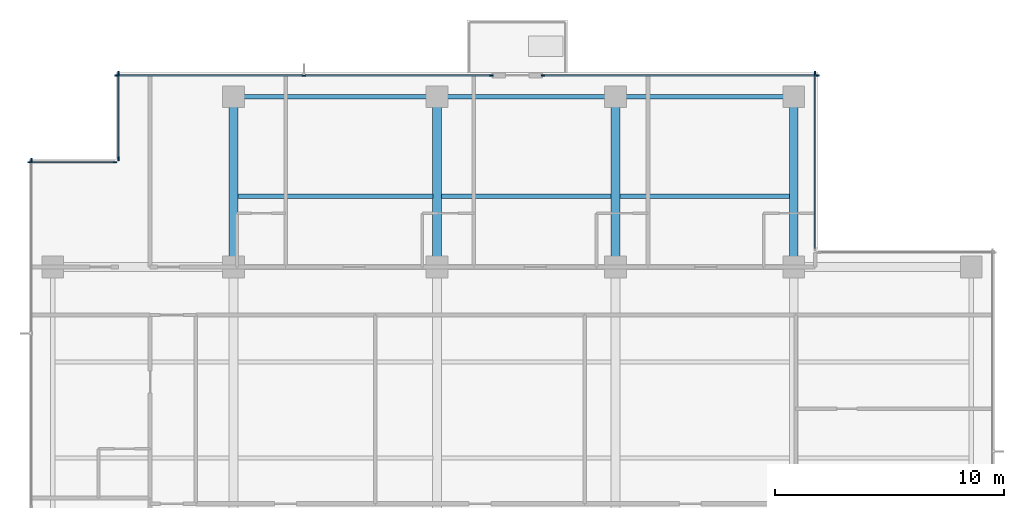
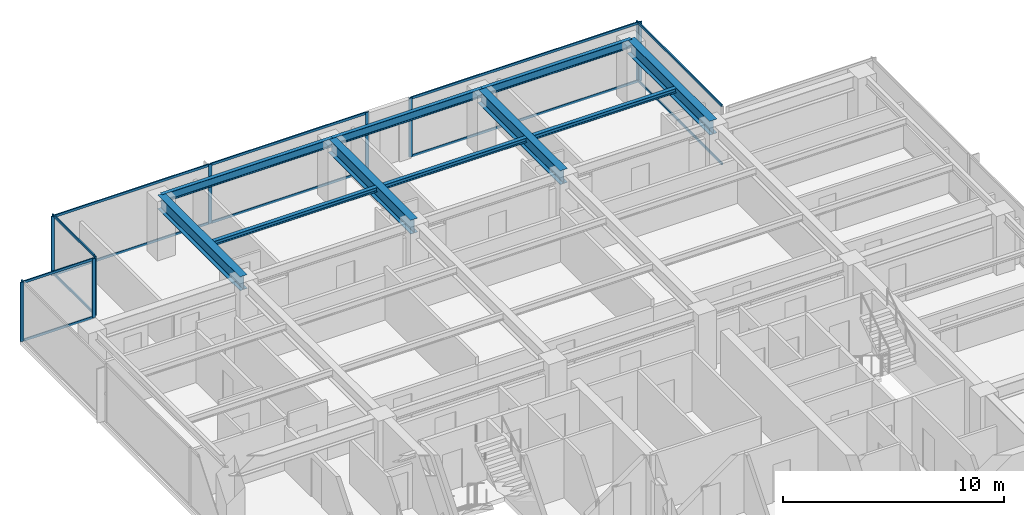
# One storey, part 5 of 15: 23 members, 10 beams, 6 elements without a shape of their own.
"""IFC4 building model written with IfcOpenShell, lengths in metres."""

from ifc_helpers import new_model, si_unit, direction, frame, origin, origin_2d, place, context, subcontext, project, spatial, rectangle, i_section, extrude, material, layer, layer_set, material_profile, profile_set, type_object, element, aggregate, save


model = new_model("IFC4")

# Units and contexts
model_context = context("Model", 3, precision=1e-05, world=origin(), true_north=direction((0.0, 1.0)))
body_context = subcontext(model_context, "Body", "Model", "MODEL_VIEW")
ifc_project = project(units=[si_unit("LENGTHUNIT", "METRE"), si_unit("AREAUNIT", "SQUARE_METRE"), si_unit("VOLUMEUNIT", "CUBIC_METRE"), si_unit("PLANEANGLEUNIT", "RADIAN"), si_unit("MASSUNIT", "GRAM", prefix="KILO")], contexts=[model_context])

# Site, building, storey
site_placement = place(None, origin())
site = spatial("IfcSite", under=ifc_project, at=site_placement, CompositionType="ELEMENT")
building_placement = place(site_placement, origin())
building = spatial("IfcBuilding", under=site, at=building_placement, Name="Qalmaran Belvedere Hotel", CompositionType="ELEMENT")
storey_placement = place(building_placement, frame((0.0, 0.0, 214.39990234375)))
storey = spatial("IfcBuildingStorey", under=building, at=storey_placement, Name="L54", CompositionType="ELEMENT", Elevation=214.39990234375)

# Beams
ifc_material_1 = material(Name="Steel S355JR", Category="steel")
ifc_material_profile_1 = material_profile(ifc_material_1, i_section(OverallWidth=0.201904296875, OverallDepth=0.2470703125, WebThickness=0.00732421875, FlangeThickness=0.010986328125, FilletRadius=0.011962890625, at=origin_2d()), Name="W250X49")
ifc_profile_set_1 = profile_set([ifc_material_profile_1], Name="Steel S355JR")
beam_type_1 = type_object("IfcBeamType", Name="BM-JST-W250X49", PredefinedType="JOIST", material=ifc_profile_set_1)
beam_1_placement = place(storey_placement, frame((20.488525390625, 36.10009765625, 3.13671875), z_axis=(1.0, 0.0, 0.0), x_axis=(0.0, 1.0, 0.0)))
element("IfcBeam", 1, at=beam_1_placement, inside=storey, type_object=beam_type_1, Name="L54 North Floor Joist 042", PredefinedType="JOIST", context=body_context, shape_type="SweptSolid", body=[
    extrude(i_section(OverallWidth=0.201904296875, OverallDepth=0.2470703125, WebThickness=0.00732421875, FlangeThickness=0.010986328125, FilletRadius=0.011962890625, at=origin_2d()), origin(), (0.0, 0.0, 1.0), 8.52294921875),
])
for number, where, z_axis, x_axis, name in (
    (2, (29.388427734375, 36.10009765625, 3.13671875), (1.0, 0.0, 0.0), (0.0, 1.0, 0.0), "L54 North Floor Joist 043"),
    (3, (37.1884765625, 36.10009765625, 3.13671875), (1.0, 0.0, 0.0), (0.0, 1.0, 0.0), "L54 North Floor Joist 044"),
):
    element("IfcBeam", number, at=place(storey_placement, frame(where, z_axis=z_axis, x_axis=x_axis)), inside=storey, type_object=beam_type_1, Name=name, PredefinedType="JOIST", context=body_context, shape_type="SweptSolid", body=[
        extrude(i_section(OverallWidth=0.201904296875, OverallDepth=0.2470703125, WebThickness=0.00732421875, FlangeThickness=0.010986328125, FilletRadius=0.011962890625, at=origin_2d()), origin(), (0.0, 0.0, 1.0), 7.423095703125),
    ])
ifc_material_profile_2 = material_profile(ifc_material_1, i_section(OverallWidth=0.381103515625, OverallDepth=0.77294921875, WebThickness=0.0166015625, FlangeThickness=0.027099609375, FilletRadius=0.02197265625, at=origin_2d()), Name="W760X257")
ifc_profile_set_2 = profile_set([ifc_material_profile_2], Name="Steel S355JR")
beam_type_2 = type_object("IfcBeamType", Name="BM-PG4-W760X257", PredefinedType="USERDEFINED", material=ifc_profile_set_2)
for number, where, z_axis, x_axis, name in (
    (4, (20.300048828125, 33.0, 2.87353515625), (0.0, 1.0, 0.0), (-1.0, 0.0, 0.0), "L54 North Bay Girder 15"),
    (5, (29.199951171875, 33.0, 2.87353515625), (0.0, 1.0, 0.0), (-1.0, 0.0, 0.0), "L54 North Bay Girder 17"),
    (6, (37.0, 33.0, 2.87353515625), (0.0, 1.0, 0.0), (-1.0, 0.0, 0.0), "L54 North Bay Girder 19"),
    (7, (44.800048828125, 33.0, 2.87353515625), (0.0, 1.0, 0.0), (-1.0, 0.0, 0.0), "L54 North Bay Girder 21"),
):
    element("IfcBeam", number, at=place(storey_placement, frame(where, z_axis=z_axis, x_axis=x_axis)), inside=storey, type_object=beam_type_2, Name=name, ObjectType="GIRDER", PredefinedType="USERDEFINED", context=body_context, shape_type="SweptSolid", body=[
        extrude(i_section(OverallWidth=0.381103515625, OverallDepth=0.77294921875, WebThickness=0.0166015625, FlangeThickness=0.027099609375, FilletRadius=0.02197265625, at=origin_2d()), origin(), (0.0, 0.0, 1.0), 7.449951171875),
    ])
ifc_material_profile_3 = material_profile(ifc_material_1, i_section(OverallWidth=0.19189453125, OverallDepth=0.462890625, WebThickness=0.010498046875, FlangeThickness=0.017578125, FilletRadius=0.01611328125, at=origin_2d()), Name="W460X89")
ifc_profile_set_3 = profile_set([ifc_material_profile_3], Name="Steel S355JR")
beam_type_3 = type_object("IfcBeamType", Name="BM-SP2-W460X89", PredefinedType="SPANDREL", material=ifc_profile_set_3)
beam_2_placement = place(storey_placement, frame((20.300048828125, 40.449951171875, 3.028564453125), z_axis=(1.0, 0.0, 0.0), x_axis=(0.0, 1.0, 0.0)))
element("IfcBeam", 8, at=beam_2_placement, inside=storey, type_object=beam_type_3, Name="L54 Perimeter Spandrel 05", PredefinedType="SPANDREL", context=body_context, shape_type="SweptSolid", body=[
    extrude(i_section(OverallWidth=0.19189453125, OverallDepth=0.462890625, WebThickness=0.010498046875, FlangeThickness=0.017578125, FilletRadius=0.01611328125, at=origin_2d()), origin(), (0.0, 0.0, 1.0), 8.89990234375),
])
for number, where, z_axis, x_axis, name in (
    (9, (29.199951171875, 40.449951171875, 3.028564453125), (1.0, 0.0, 0.0), (0.0, 1.0, 0.0), "L54 Perimeter Spandrel 06"),
    (10, (37.0, 40.449951171875, 3.028564453125), (1.0, 0.0, 0.0), (0.0, 1.0, 0.0), "L54 Perimeter Spandrel 07"),
):
    element("IfcBeam", number, at=place(storey_placement, frame(where, z_axis=z_axis, x_axis=x_axis)), inside=storey, type_object=beam_type_3, Name=name, PredefinedType="SPANDREL", context=body_context, shape_type="SweptSolid", body=[
        extrude(i_section(OverallWidth=0.19189453125, OverallDepth=0.462890625, WebThickness=0.010498046875, FlangeThickness=0.017578125, FilletRadius=0.01611328125, at=origin_2d()), origin(), (0.0, 0.0, 1.0), 7.800048828125),
    ])

# Curtain wall, member
ifc_material_2 = material(Name="Anodised Bronze Aluminium", Category="aluminium")
ifc_layer = layer(ifc_material_2, 0.18994140625, Name="Anodised Bronze Aluminium")
ifc_layer_set = layer_set([ifc_layer], Name="Anodised Bronze Aluminium")
curtain_wall_type = type_object("IfcCurtainWallType", Name="CW5-TOWER-UPPER", PredefinedType="NOTDEFINED", material=ifc_layer_set)
curtain_wall_1_placement = place(storey_placement, origin())
curtain_wall_1 = element("IfcCurtainWall", 11, at=curtain_wall_1_placement, inside=storey, type_object=curtain_wall_type, Name="L54 Curtain Wall CW5", PredefinedType="NOTDEFINED")
ifc_material_profile_4 = material_profile(ifc_material_2, rectangle(XDim=0.06494140625, YDim=0.1650390625, at=origin_2d()), Name="CWM65X165")
ifc_profile_set_4 = profile_set([ifc_material_profile_4], Name="Anodised Bronze Aluminium")
member_type_1 = type_object("IfcMemberType", Name="CWM-65X165", PredefinedType="MULLION", material=ifc_profile_set_4)
member_1_placement = place(storey_placement, frame((45.72998046875, 41.467529296875, 0.0), z_axis=(0.0, 0.0, 1.0), x_axis=(-1.0, 0.0, 0.0)))
member_1 = element("IfcMember", 12, at=member_1_placement, type_object=member_type_1, Name="CW5 mullion 2", PredefinedType="MULLION", context=body_context, shape_type="SweptSolid", body=[
    extrude(rectangle(XDim=0.06494140625, YDim=0.1650390625, at=origin_2d()), origin(), (0.0, 0.0, 1.0), 3.260009765625),
])

# Curtain wall, members
curtain_wall_2_placement = place(storey_placement, origin())
curtain_wall_2 = element("IfcCurtainWall", 13, at=curtain_wall_2_placement, inside=storey, type_object=curtain_wall_type, Name="L54 Curtain Wall CW5", PredefinedType="NOTDEFINED")
member_2_placement = place(storey_placement, frame((31.5673828125, 41.3798828125, 0.0), z_axis=(0.0, 0.0, 1.0), x_axis=(0.0, -1.0, 0.0)))
member_2 = element("IfcMember", 14, at=member_2_placement, type_object=member_type_1, Name="CW5 mullion 1", PredefinedType="MULLION", context=body_context, shape_type="SweptSolid", body=[
    extrude(rectangle(XDim=0.06494140625, YDim=0.1650390625, at=origin_2d()), origin(), (0.0, 0.0, 1.0), 3.260009765625),
])
member_3_placement = place(storey_placement, frame((23.375, 41.3798828125, 0.0), z_axis=(0.0, 0.0, 1.0), x_axis=(0.0, -1.0, 0.0)))
member_3 = element("IfcMember", 15, at=member_3_placement, type_object=member_type_1, Name="CW5 mullion 2", PredefinedType="MULLION", context=body_context, shape_type="SweptSolid", body=[
    extrude(rectangle(XDim=0.06494140625, YDim=0.1650390625, at=origin_2d()), origin(), (0.0, 0.0, 1.0), 3.260009765625),
])
member_4_placement = place(storey_placement, frame((15.1826171875, 41.3798828125, 0.0), z_axis=(0.0, 0.0, 1.0), x_axis=(0.0, -1.0, 0.0)))
member_4 = element("IfcMember", 16, at=member_4_placement, type_object=member_type_1, Name="CW5 mullion 3", PredefinedType="MULLION", context=body_context, shape_type="SweptSolid", body=[
    extrude(rectangle(XDim=0.06494140625, YDim=0.1650390625, at=origin_2d()), origin(), (0.0, 0.0, 1.0), 3.260009765625),
])

curtain_wall_3_placement = place(storey_placement, origin())
curtain_wall_3 = element("IfcCurtainWall", 17, at=curtain_wall_3_placement, inside=storey, type_object=curtain_wall_type, Name="L54 Curtain Wall CW5", PredefinedType="NOTDEFINED")
member_5_placement = place(storey_placement, frame((45.8173828125, 41.3798828125, 0.0), z_axis=(0.0, 0.0, 1.0), x_axis=(0.0, -1.0, 0.0)))
member_5 = element("IfcMember", 18, at=member_5_placement, type_object=member_type_1, Name="CW5 mullion 1", PredefinedType="MULLION", context=body_context, shape_type="SweptSolid", body=[
    extrude(rectangle(XDim=0.06494140625, YDim=0.1650390625, at=origin_2d()), origin(), (0.0, 0.0, 1.0), 3.260009765625),
])
member_6_placement = place(storey_placement, frame((33.83251953125, 41.3798828125, 0.0), z_axis=(0.0, 0.0, 1.0), x_axis=(0.0, -1.0, 0.0)))
member_6 = element("IfcMember", 19, at=member_6_placement, type_object=member_type_1, Name="CW5 mullion 2", PredefinedType="MULLION", context=body_context, shape_type="SweptSolid", body=[
    extrude(rectangle(XDim=0.06494140625, YDim=0.1650390625, at=origin_2d()), origin(), (0.0, 0.0, 1.0), 3.260009765625),
])

curtain_wall_4_placement = place(storey_placement, origin())
curtain_wall_4 = element("IfcCurtainWall", 20, at=curtain_wall_4_placement, inside=storey, type_object=curtain_wall_type, Name="L54 Curtain Wall CW5", PredefinedType="NOTDEFINED")
member_7_placement = place(storey_placement, frame((15.27001953125, 41.467529296875, 0.0), z_axis=(0.0, 0.0, 1.0), x_axis=(1.0, 0.0, 0.0)))
member_7 = element("IfcMember", 21, at=member_7_placement, type_object=member_type_1, Name="CW5 mullion 1", PredefinedType="MULLION", context=body_context, shape_type="SweptSolid", body=[
    extrude(rectangle(XDim=0.06494140625, YDim=0.1650390625, at=origin_2d()), origin(), (0.0, 0.0, 1.0), 3.260009765625),
])
member_8_placement = place(storey_placement, frame((15.27001953125, 37.732421875, 0.0), z_axis=(0.0, 0.0, 1.0), x_axis=(1.0, 0.0, 0.0)))
member_8 = element("IfcMember", 22, at=member_8_placement, type_object=member_type_1, Name="CW5 mullion 2", PredefinedType="MULLION", context=body_context, shape_type="SweptSolid", body=[
    extrude(rectangle(XDim=0.06494140625, YDim=0.1650390625, at=origin_2d()), origin(), (0.0, 0.0, 1.0), 3.260009765625),
])

curtain_wall_5_placement = place(storey_placement, origin())
curtain_wall_5 = element("IfcCurtainWall", 23, at=curtain_wall_5_placement, inside=storey, type_object=curtain_wall_type, Name="L54 Curtain Wall CW5", PredefinedType="NOTDEFINED")
member_9_placement = place(storey_placement, frame((15.117431640625, 37.580078125, 0.0), z_axis=(0.0, 0.0, 1.0), x_axis=(0.0, -1.0, 0.0)))
member_9 = element("IfcMember", 24, at=member_9_placement, type_object=member_type_1, Name="CW5 mullion 1", PredefinedType="MULLION", context=body_context, shape_type="SweptSolid", body=[
    extrude(rectangle(XDim=0.06494140625, YDim=0.1650390625, at=origin_2d()), origin(), (0.0, 0.0, 1.0), 3.260009765625),
])
member_10_placement = place(storey_placement, frame((11.382568359375, 37.580078125, 0.0), z_axis=(0.0, 0.0, 1.0), x_axis=(0.0, -1.0, 0.0)))
member_10 = element("IfcMember", 25, at=member_10_placement, type_object=member_type_1, Name="CW5 mullion 2", PredefinedType="MULLION", context=body_context, shape_type="SweptSolid", body=[
    extrude(rectangle(XDim=0.06494140625, YDim=0.1650390625, at=origin_2d()), origin(), (0.0, 0.0, 1.0), 3.260009765625),
])

# Curtain wall, member
curtain_wall_6_placement = place(storey_placement, origin())
curtain_wall_6 = element("IfcCurtainWall", 26, at=curtain_wall_6_placement, inside=storey, type_object=curtain_wall_type, Name="L54 Curtain Wall CW5", PredefinedType="NOTDEFINED")
member_11_placement = place(storey_placement, frame((11.469970703125, 37.66748046875, 0.0), z_axis=(0.0, 0.0, 1.0), x_axis=(1.0, 0.0, 0.0)))
member_11 = element("IfcMember", 27, at=member_11_placement, type_object=member_type_1, Name="CW5 mullion 1", PredefinedType="MULLION", context=body_context, shape_type="SweptSolid", body=[
    extrude(rectangle(XDim=0.06494140625, YDim=0.1650390625, at=origin_2d()), origin(), (0.0, 0.0, 1.0), 3.260009765625),
])
aggregate(curtain_wall_6, [member_11])

# Member
ifc_material_profile_5 = material_profile(ifc_material_2, rectangle(XDim=0.06494140625, YDim=0.1298828125, at=origin_2d()), Name="CWT65X130")
ifc_profile_set_5 = profile_set([ifc_material_profile_5], Name="Anodised Bronze Aluminium")
member_type_2 = type_object("IfcMemberType", Name="CWT-65X130", PredefinedType="USERDEFINED", material=ifc_profile_set_5)
member_12_placement = place(storey_placement, frame((45.72998046875, 33.81494140625, 0.03271484375), z_axis=(0.0, 1.0, 0.0), x_axis=(-1.0, 0.0, 0.0)))
member_12 = element("IfcMember", 28, at=member_12_placement, type_object=member_type_2, Name="CW5 transom 1.1", ObjectType="TRANSOM", PredefinedType="USERDEFINED", context=body_context, shape_type="SweptSolid", body=[
    extrude(rectangle(XDim=0.06494140625, YDim=0.1298828125, at=origin_2d()), origin(), (0.0, 0.0, 1.0), 7.6201171875),
])

member_13_placement = place(storey_placement, frame((45.72998046875, 33.81494140625, 3.2275390625), z_axis=(0.0, 1.0, 0.0), x_axis=(-1.0, 0.0, 0.0)))
member_13 = element("IfcMember", 29, at=member_13_placement, type_object=member_type_2, Name="CW5 transom 1.2", ObjectType="TRANSOM", PredefinedType="USERDEFINED", context=body_context, shape_type="SweptSolid", body=[
    extrude(rectangle(XDim=0.06494140625, YDim=0.1298828125, at=origin_2d()), origin(), (0.0, 0.0, 1.0), 7.6201171875),
])

aggregate(curtain_wall_1, [member_1, member_12, member_13])

member_14_placement = place(storey_placement, frame((31.534912109375, 41.3798828125, 0.03271484375), z_axis=(-1.0, 0.0, 0.0), x_axis=(0.0, -1.0, 0.0)))
member_14 = element("IfcMember", 30, at=member_14_placement, type_object=member_type_2, Name="CW5 transom 1.1", ObjectType="TRANSOM", PredefinedType="USERDEFINED", context=body_context, shape_type="SweptSolid", body=[
    extrude(rectangle(XDim=0.06494140625, YDim=0.1298828125, at=origin_2d()), origin(), (0.0, 0.0, 1.0), 8.12744140625),
])

member_15_placement = place(storey_placement, frame((31.534912109375, 41.3798828125, 3.2275390625), z_axis=(-1.0, 0.0, 0.0), x_axis=(0.0, -1.0, 0.0)))
member_15 = element("IfcMember", 31, at=member_15_placement, type_object=member_type_2, Name="CW5 transom 1.2", ObjectType="TRANSOM", PredefinedType="USERDEFINED", context=body_context, shape_type="SweptSolid", body=[
    extrude(rectangle(XDim=0.06494140625, YDim=0.1298828125, at=origin_2d()), origin(), (0.0, 0.0, 1.0), 8.12744140625),
])

member_16_placement = place(storey_placement, frame((23.342529296875, 41.3798828125, 0.03271484375), z_axis=(-1.0, 0.0, 0.0), x_axis=(0.0, -1.0, 0.0)))
member_16 = element("IfcMember", 32, at=member_16_placement, type_object=member_type_2, Name="CW5 transom 2.1", ObjectType="TRANSOM", PredefinedType="USERDEFINED", context=body_context, shape_type="SweptSolid", body=[
    extrude(rectangle(XDim=0.06494140625, YDim=0.1298828125, at=origin_2d()), origin(), (0.0, 0.0, 1.0), 8.12744140625),
])

member_17_placement = place(storey_placement, frame((23.342529296875, 41.3798828125, 3.2275390625), z_axis=(-1.0, 0.0, 0.0), x_axis=(0.0, -1.0, 0.0)))
member_17 = element("IfcMember", 33, at=member_17_placement, type_object=member_type_2, Name="CW5 transom 2.2", ObjectType="TRANSOM", PredefinedType="USERDEFINED", context=body_context, shape_type="SweptSolid", body=[
    extrude(rectangle(XDim=0.06494140625, YDim=0.1298828125, at=origin_2d()), origin(), (0.0, 0.0, 1.0), 8.12744140625),
])

aggregate(curtain_wall_2, [member_2, member_3, member_4, member_14, member_15, member_16, member_17])

member_18_placement = place(storey_placement, frame((45.784912109375, 41.3798828125, 0.03271484375), z_axis=(-1.0, 0.0, 0.0), x_axis=(0.0, -1.0, 0.0)))
member_18 = element("IfcMember", 34, at=member_18_placement, type_object=member_type_2, Name="CW5 transom 1.1", ObjectType="TRANSOM", PredefinedType="USERDEFINED", context=body_context, shape_type="SweptSolid", body=[
    extrude(rectangle(XDim=0.06494140625, YDim=0.1298828125, at=origin_2d()), origin(), (0.0, 0.0, 1.0), 11.919921875),
])

member_19_placement = place(storey_placement, frame((45.784912109375, 41.3798828125, 3.2275390625), z_axis=(-1.0, 0.0, 0.0), x_axis=(0.0, -1.0, 0.0)))
member_19 = element("IfcMember", 35, at=member_19_placement, type_object=member_type_2, Name="CW5 transom 1.2", ObjectType="TRANSOM", PredefinedType="USERDEFINED", context=body_context, shape_type="SweptSolid", body=[
    extrude(rectangle(XDim=0.06494140625, YDim=0.1298828125, at=origin_2d()), origin(), (0.0, 0.0, 1.0), 11.919921875),
])

aggregate(curtain_wall_3, [member_5, member_6, member_18, member_19])

member_20_placement = place(storey_placement, frame((15.27001953125, 41.43505859375, 0.03271484375), z_axis=(0.0, -1.0, 0.0), x_axis=(1.0, 0.0, 0.0)))
member_20 = element("IfcMember", 36, at=member_20_placement, type_object=member_type_2, Name="CW5 transom 1.1", ObjectType="TRANSOM", PredefinedType="USERDEFINED", context=body_context, shape_type="SweptSolid", body=[
    extrude(rectangle(XDim=0.06494140625, YDim=0.1298828125, at=origin_2d()), origin(), (0.0, 0.0, 1.0), 3.670166015625),
])

member_21_placement = place(storey_placement, frame((15.27001953125, 41.43505859375, 3.2275390625), z_axis=(0.0, -1.0, 0.0), x_axis=(1.0, 0.0, 0.0)))
member_21 = element("IfcMember", 37, at=member_21_placement, type_object=member_type_2, Name="CW5 transom 1.2", ObjectType="TRANSOM", PredefinedType="USERDEFINED", context=body_context, shape_type="SweptSolid", body=[
    extrude(rectangle(XDim=0.06494140625, YDim=0.1298828125, at=origin_2d()), origin(), (0.0, 0.0, 1.0), 3.670166015625),
])

aggregate(curtain_wall_4, [member_7, member_8, member_20, member_21])

member_22_placement = place(storey_placement, frame((15.0849609375, 37.580078125, 0.03271484375), z_axis=(-1.0, 0.0, 0.0), x_axis=(0.0, -1.0, 0.0)))
member_22 = element("IfcMember", 38, at=member_22_placement, type_object=member_type_2, Name="CW5 transom 1.1", ObjectType="TRANSOM", PredefinedType="USERDEFINED", context=body_context, shape_type="SweptSolid", body=[
    extrude(rectangle(XDim=0.06494140625, YDim=0.1298828125, at=origin_2d()), origin(), (0.0, 0.0, 1.0), 3.669921875),
])

member_23_placement = place(storey_placement, frame((15.0849609375, 37.580078125, 3.2275390625), z_axis=(-1.0, 0.0, 0.0), x_axis=(0.0, -1.0, 0.0)))
member_23 = element("IfcMember", 39, at=member_23_placement, type_object=member_type_2, Name="CW5 transom 1.2", ObjectType="TRANSOM", PredefinedType="USERDEFINED", context=body_context, shape_type="SweptSolid", body=[
    extrude(rectangle(XDim=0.06494140625, YDim=0.1298828125, at=origin_2d()), origin(), (0.0, 0.0, 1.0), 3.669921875),
])

aggregate(curtain_wall_5, [member_9, member_10, member_22, member_23])

save(model, "model.ifc")
